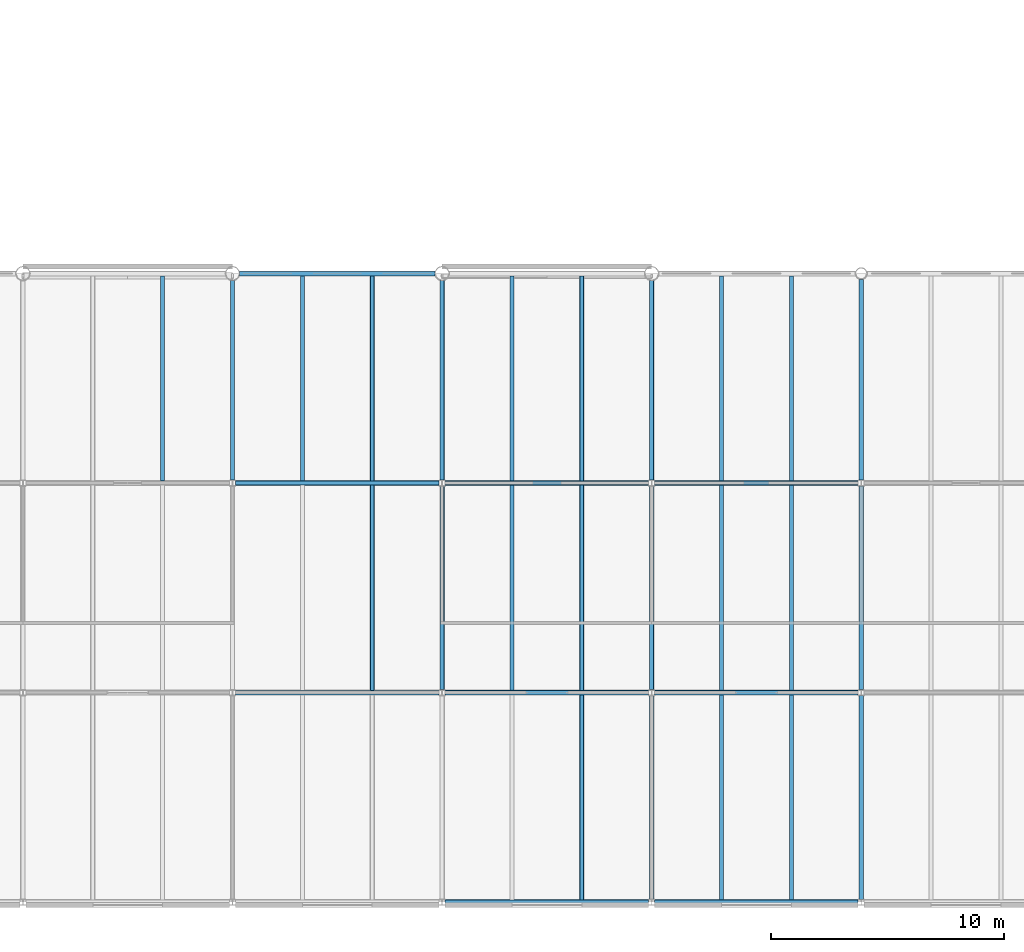
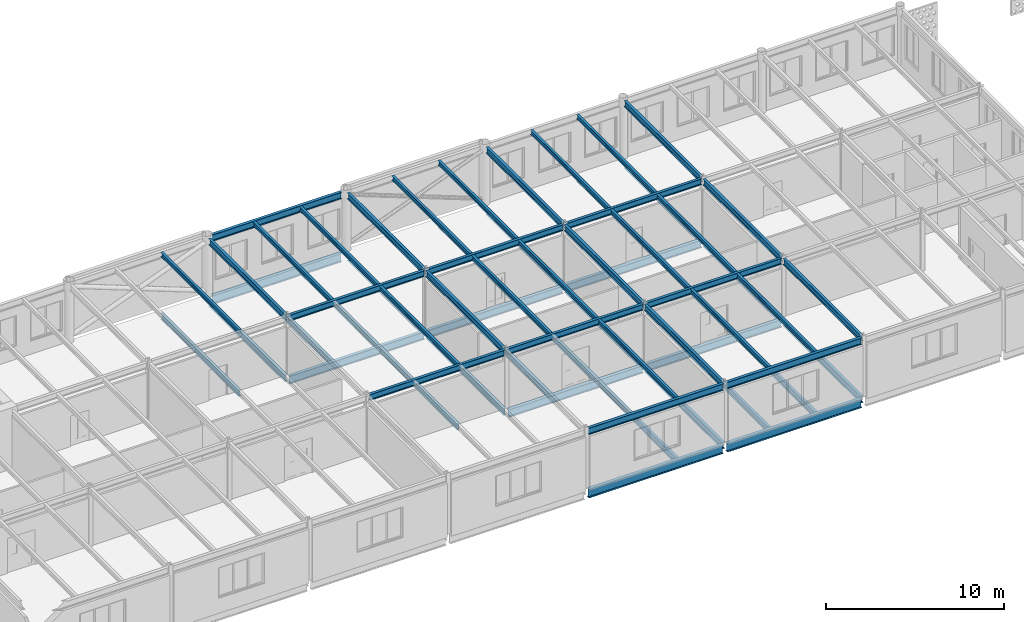
# One storey, part 25 of 123: 65 beams.
"""IFC4 building model written with IfcOpenShell, lengths in metres."""

from ifc_helpers import new_model, si_unit, direction, frame, origin, origin_2d, place, context, subcontext, project, spatial, i_section, extrude, material, material_profile, profile_set, type_object, element, save


model = new_model("IFC4")

# Units and contexts
model_context = context("Model", 3, precision=1e-05, world=origin(), true_north=direction((0.0, 1.0)))
body_context = subcontext(model_context, "Body", "Model", "MODEL_VIEW")
ifc_project = project(units=[si_unit("LENGTHUNIT", "METRE"), si_unit("AREAUNIT", "SQUARE_METRE"), si_unit("VOLUMEUNIT", "CUBIC_METRE"), si_unit("PLANEANGLEUNIT", "RADIAN"), si_unit("MASSUNIT", "GRAM", prefix="KILO")], contexts=[model_context])

# Site, building, storey
site_placement = place(None, origin())
site = spatial("IfcSite", under=ifc_project, at=site_placement, CompositionType="ELEMENT")
building_placement = place(site_placement, origin())
building = spatial("IfcBuilding", under=site, at=building_placement, Name="Baradari Gate Terminus", CompositionType="ELEMENT")
storey_placement = place(building_placement, frame((0.0, 0.0, 7.5)))
storey = spatial("IfcBuildingStorey", under=building, at=storey_placement, Name="L01", CompositionType="ELEMENT", Elevation=7.5)

# Beams
ifc_material_1 = material(Name="Steel S355", Category="steel")
ifc_material_profile_1 = material_profile(ifc_material_1, i_section(OverallWidth=0.19140625, OverallDepth=0.4599609375, WebThickness=0.010009765625, FlangeThickness=0.01611328125, FilletRadius=0.01025390625, at=origin_2d()), Name="UB 457x191x82")
ifc_profile_set_1 = profile_set([ifc_material_profile_1], Name="Steel S355")
beam_type_1 = type_object("IfcBeamType", Name="South wing cross girder B18 UB 457x191x82", PredefinedType="BEAM", material=ifc_profile_set_1)
beam_1_placement = place(storey_placement, frame((108.0, 27.130126953125, -0.360107421875), z_axis=(0.0, 1.0, 0.0), x_axis=(-1.0, 0.0, 0.0)))
element("IfcBeam", 1, at=beam_1_placement, inside=storey, type_object=beam_type_1, Name="South wing cross girder B18 13:27.13-35.695 L01", PredefinedType="BEAM", context=body_context, shape_type="SweptSolid", body=[
    extrude(i_section(OverallWidth=0.19140625, OverallDepth=0.4599609375, WebThickness=0.010009765625, FlangeThickness=0.01611328125, FilletRadius=0.01025390625, at=origin_2d()), origin(), (0.0, 0.0, 1.0), 8.56494140625),
])
beam_2_placement = place(storey_placement, frame((117.0, 18.130126953125, -0.360107421875), z_axis=(0.0, 1.0, 0.0), x_axis=(-1.0, 0.0, 0.0)))
element("IfcBeam", 2, at=beam_2_placement, inside=storey, type_object=beam_type_1, Name="South wing cross girder B18 14:18.13-26.87 L01", PredefinedType="BEAM", context=body_context, shape_type="SweptSolid", body=[
    extrude(i_section(OverallWidth=0.19140625, OverallDepth=0.4599609375, WebThickness=0.010009765625, FlangeThickness=0.01611328125, FilletRadius=0.01025390625, at=origin_2d()), origin(), (0.0, 0.0, 1.0), 8.73974609375),
])
beam_3_placement = place(storey_placement, frame((117.0, 27.130126953125, -0.360107421875), z_axis=(0.0, 1.0, 0.0), x_axis=(-1.0, 0.0, 0.0)))
element("IfcBeam", 3, at=beam_3_placement, inside=storey, type_object=beam_type_1, Name="South wing cross girder B18 14:27.13-35.695 L01", PredefinedType="BEAM", context=body_context, shape_type="SweptSolid", body=[
    extrude(i_section(OverallWidth=0.19140625, OverallDepth=0.4599609375, WebThickness=0.010009765625, FlangeThickness=0.01611328125, FilletRadius=0.01025390625, at=origin_2d()), origin(), (0.0, 0.0, 1.0), 8.56494140625),
])
beam_4_placement = place(storey_placement, frame((126.0, 9.127197265625, -0.360107421875), z_axis=(0.0, 1.0, 0.0), x_axis=(-1.0, 0.0, 0.0)))
element("IfcBeam", 4, at=beam_4_placement, inside=storey, type_object=beam_type_1, Name="South wing cross girder B18 15:9.127-17.87 L01", PredefinedType="BEAM", context=body_context, shape_type="SweptSolid", body=[
    extrude(i_section(OverallWidth=0.19140625, OverallDepth=0.4599609375, WebThickness=0.010009765625, FlangeThickness=0.01611328125, FilletRadius=0.01025390625, at=origin_2d()), origin(), (0.0, 0.0, 1.0), 8.74267578125),
])
beam_5_placement = place(storey_placement, frame((126.0, 18.130126953125, -0.360107421875), z_axis=(0.0, 1.0, 0.0), x_axis=(-1.0, 0.0, 0.0)))
element("IfcBeam", 5, at=beam_5_placement, inside=storey, type_object=beam_type_1, Name="South wing cross girder B18 15:18.13-26.87 L01", PredefinedType="BEAM", context=body_context, shape_type="SweptSolid", body=[
    extrude(i_section(OverallWidth=0.19140625, OverallDepth=0.4599609375, WebThickness=0.010009765625, FlangeThickness=0.01611328125, FilletRadius=0.01025390625, at=origin_2d()), origin(), (0.0, 0.0, 1.0), 8.73974609375),
])
beam_6_placement = place(storey_placement, frame((126.0, 27.130126953125, -0.360107421875), z_axis=(0.0, 1.0, 0.0), x_axis=(-1.0, 0.0, 0.0)))
element("IfcBeam", 6, at=beam_6_placement, inside=storey, type_object=beam_type_1, Name="South wing cross girder B18 15:27.13-35.695 L01", PredefinedType="BEAM", context=body_context, shape_type="SweptSolid", body=[
    extrude(i_section(OverallWidth=0.19140625, OverallDepth=0.4599609375, WebThickness=0.010009765625, FlangeThickness=0.01611328125, FilletRadius=0.01025390625, at=origin_2d()), origin(), (0.0, 0.0, 1.0), 8.56494140625),
])
beam_7_placement = place(storey_placement, frame((135.0, 9.127197265625, -0.360107421875), z_axis=(0.0, 1.0, 0.0), x_axis=(-1.0, 0.0, 0.0)))
element("IfcBeam", 7, at=beam_7_placement, inside=storey, type_object=beam_type_1, Name="South wing cross girder B18 16:9.127-17.87 L01", PredefinedType="BEAM", context=body_context, shape_type="SweptSolid", body=[
    extrude(i_section(OverallWidth=0.19140625, OverallDepth=0.4599609375, WebThickness=0.010009765625, FlangeThickness=0.01611328125, FilletRadius=0.01025390625, at=origin_2d()), origin(), (0.0, 0.0, 1.0), 8.74267578125),
])
beam_8_placement = place(storey_placement, frame((135.0, 18.130126953125, -0.360107421875), z_axis=(0.0, 1.0, 0.0), x_axis=(-1.0, 0.0, 0.0)))
element("IfcBeam", 8, at=beam_8_placement, inside=storey, type_object=beam_type_1, Name="South wing cross girder B18 16:18.13-26.87 L01", PredefinedType="BEAM", context=body_context, shape_type="SweptSolid", body=[
    extrude(i_section(OverallWidth=0.19140625, OverallDepth=0.4599609375, WebThickness=0.010009765625, FlangeThickness=0.01611328125, FilletRadius=0.01025390625, at=origin_2d()), origin(), (0.0, 0.0, 1.0), 8.73974609375),
])
beam_9_placement = place(storey_placement, frame((135.0, 27.130126953125, -0.360107421875), z_axis=(0.0, 1.0, 0.0), x_axis=(-1.0, 0.0, 0.0)))
element("IfcBeam", 9, at=beam_9_placement, inside=storey, type_object=beam_type_1, Name="South wing cross girder B18 16:27.13-35.746 L01", PredefinedType="BEAM", context=body_context, shape_type="SweptSolid", body=[
    extrude(i_section(OverallWidth=0.19140625, OverallDepth=0.4599609375, WebThickness=0.010009765625, FlangeThickness=0.01611328125, FilletRadius=0.01025390625, at=origin_2d()), origin(), (0.0, 0.0, 1.0), 8.615966796875),
])
ifc_material_2 = material(Name="Steel S355", Category="steel")
ifc_material_profile_2 = material_profile(ifc_material_2, i_section(OverallWidth=0.2275390625, OverallDepth=0.6025390625, WebThickness=0.010498046875, FlangeThickness=0.014892578125, FilletRadius=0.0126953125, at=origin_2d()), Name="UB 610x229x101")
ifc_profile_set_2 = profile_set([ifc_material_profile_2], Name="Steel S355")
beam_type_2 = type_object("IfcBeamType", Name="South wing edge girder B14 UB 610x229x101", PredefinedType="BEAM", material=ifc_profile_set_2)
for number, where, z_axis, x_axis, name in (
    (10, (117.127197265625, 9.0, -0.431396484375), (1.0, 0.0, 0.0), (0.0, 1.0, 0.0), "South wing edge girder B14 B:117.127-125.873 L01"),
    (11, (126.127197265625, 9.0, -0.431396484375), (1.0, 0.0, 0.0), (0.0, 1.0, 0.0), "South wing edge girder B14 B:126.127-134.873 L01"),
):
    element("IfcBeam", number, at=place(storey_placement, frame(where, z_axis=z_axis, x_axis=x_axis)), inside=storey, type_object=beam_type_2, Name=name, PredefinedType="BEAM", context=body_context, shape_type="SweptSolid", body=[
        extrude(i_section(OverallWidth=0.2275390625, OverallDepth=0.6025390625, WebThickness=0.010498046875, FlangeThickness=0.014892578125, FilletRadius=0.0126953125, at=origin_2d()), origin(), (0.0, 0.0, 1.0), 8.74560546875),
    ])
beam_10_placement = place(storey_placement, frame((108.304931640625, 36.0, -0.431396484375), z_axis=(1.0, 0.0, 0.0), x_axis=(0.0, 1.0, 0.0)))
element("IfcBeam", 12, at=beam_10_placement, inside=storey, type_object=beam_type_2, Name="South wing edge girder B14 E:108.305-116.695 L01", PredefinedType="BEAM", context=body_context, shape_type="SweptSolid", body=[
    extrude(i_section(OverallWidth=0.2275390625, OverallDepth=0.6025390625, WebThickness=0.010498046875, FlangeThickness=0.014892578125, FilletRadius=0.0126953125, at=origin_2d()), origin(), (0.0, 0.0, 1.0), 8.39013671875),
])
ifc_material_3 = material(Name="Steel S355", Category="steel")
ifc_material_profile_3 = material_profile(ifc_material_3, i_section(OverallWidth=0.210693359375, OverallDepth=0.53955078125, WebThickness=0.01171875, FlangeThickness=0.018798828125, FilletRadius=0.0126953125, at=origin_2d()), Name="UB 533x210x109")
ifc_profile_set_3 = profile_set([ifc_material_profile_3], Name="Steel S355")
beam_type_3 = type_object("IfcBeamType", Name="South wing girder B16 UB 533x210x109", PredefinedType="BEAM", material=ifc_profile_set_3)
for number, where, z_axis, x_axis, name in (
    (13, (117.128173828125, 18.0, -0.399658203125), (1.0, 0.0, 0.0), (0.0, 1.0, 0.0), "South wing girder B16 C:117.128-125.872 L01"),
    (14, (126.128173828125, 18.0, -0.399658203125), (1.0, 0.0, 0.0), (0.0, 1.0, 0.0), "South wing girder B16 C:126.128-134.872 L01"),
    (15, (108.128173828125, 27.0, -0.399658203125), (1.0, 0.0, 0.0), (0.0, 1.0, 0.0), "South wing girder B16 D:108.128-116.872 L01"),
    (16, (117.128173828125, 27.0, -0.399658203125), (1.0, 0.0, 0.0), (0.0, 1.0, 0.0), "South wing girder B16 D:117.128-125.872 L01"),
    (17, (126.128173828125, 27.0, -0.399658203125), (1.0, 0.0, 0.0), (0.0, 1.0, 0.0), "South wing girder B16 D:126.128-134.872 L01"),
):
    element("IfcBeam", number, at=place(storey_placement, frame(where, z_axis=z_axis, x_axis=x_axis)), inside=storey, type_object=beam_type_3, Name=name, PredefinedType="BEAM", context=body_context, shape_type="SweptSolid", body=[
        extrude(i_section(OverallWidth=0.210693359375, OverallDepth=0.53955078125, WebThickness=0.01171875, FlangeThickness=0.018798828125, FilletRadius=0.0126953125, at=origin_2d()), origin(), (0.0, 0.0, 1.0), 8.74365234375),
    ])
ifc_material_4 = material(Name="Steel S355", Category="steel")
ifc_material_profile_4 = material_profile(ifc_material_4, i_section(OverallWidth=0.18994140625, OverallDepth=0.453369140625, WebThickness=0.008544921875, FlangeThickness=0.0126953125, FilletRadius=0.01025390625, at=origin_2d()), Name="UB 457x191x67")
ifc_profile_set_4 = profile_set([ifc_material_profile_4], Name="Steel S355")
beam_type_4 = type_object("IfcBeamType", Name="South wing roof edge girder B53 UB 457x191x67", PredefinedType="BEAM", material=ifc_profile_set_4)
for number, where, z_axis, x_axis, name in (
    (18, (117.127197265625, 9.0, 3.8232421875), (1.0, 0.0, 0.0), (0.0, 1.0, 0.0), "South wing roof edge girder B53 B:117.127-125.873 L01"),
    (19, (126.127197265625, 9.0, 3.8232421875), (1.0, 0.0, 0.0), (0.0, 1.0, 0.0), "South wing roof edge girder B53 B:126.127-134.873 L01"),
):
    element("IfcBeam", number, at=place(storey_placement, frame(where, z_axis=z_axis, x_axis=x_axis)), inside=storey, type_object=beam_type_4, Name=name, PredefinedType="BEAM", context=body_context, shape_type="SweptSolid", body=[
        extrude(i_section(OverallWidth=0.18994140625, OverallDepth=0.453369140625, WebThickness=0.008544921875, FlangeThickness=0.0126953125, FilletRadius=0.01025390625, at=origin_2d()), origin(), (0.0, 0.0, 1.0), 8.74560546875),
    ])
beam_11_placement = place(storey_placement, frame((108.304931640625, 36.0, 3.8232421875), z_axis=(1.0, 0.0, 0.0), x_axis=(0.0, 1.0, 0.0)))
element("IfcBeam", 20, at=beam_11_placement, inside=storey, type_object=beam_type_4, Name="South wing roof edge girder B53 E:108.305-116.695 L01", PredefinedType="BEAM", context=body_context, shape_type="SweptSolid", body=[
    extrude(i_section(OverallWidth=0.18994140625, OverallDepth=0.453369140625, WebThickness=0.008544921875, FlangeThickness=0.0126953125, FilletRadius=0.01025390625, at=origin_2d()), origin(), (0.0, 0.0, 1.0), 8.39013671875),
])
ifc_material_5 = material(Name="Steel S355", Category="steel")
ifc_material_profile_5 = material_profile(ifc_material_5, i_section(OverallWidth=0.177978515625, OverallDepth=0.406494140625, WebThickness=0.0078125, FlangeThickness=0.0126953125, FilletRadius=0.01025390625, at=origin_2d()), Name="UB 406x178x60")
ifc_profile_set_5 = profile_set([ifc_material_profile_5], Name="Steel S355")
beam_type_5 = type_object("IfcBeamType", Name="South wing roof girder B54 UB 406x178x60", PredefinedType="BEAM", material=ifc_profile_set_5)
for number, where, z_axis, x_axis, name in (
    (21, (108.128173828125, 18.0, 3.8466796875), (1.0, 0.0, 0.0), (0.0, 1.0, 0.0), "South wing roof girder B54 C:108.128-116.872 L01"),
    (22, (117.128173828125, 18.0, 3.8466796875), (1.0, 0.0, 0.0), (0.0, 1.0, 0.0), "South wing roof girder B54 C:117.128-125.872 L01"),
    (23, (126.128173828125, 18.0, 3.8466796875), (1.0, 0.0, 0.0), (0.0, 1.0, 0.0), "South wing roof girder B54 C:126.128-134.872 L01"),
    (24, (108.128173828125, 27.0, 3.8466796875), (1.0, 0.0, 0.0), (0.0, 1.0, 0.0), "South wing roof girder B54 D:108.128-116.872 L01"),
    (25, (117.128173828125, 27.0, 3.8466796875), (1.0, 0.0, 0.0), (0.0, 1.0, 0.0), "South wing roof girder B54 D:117.128-125.872 L01"),
    (26, (126.128173828125, 27.0, 3.8466796875), (1.0, 0.0, 0.0), (0.0, 1.0, 0.0), "South wing roof girder B54 D:126.128-134.872 L01"),
):
    element("IfcBeam", number, at=place(storey_placement, frame(where, z_axis=z_axis, x_axis=x_axis)), inside=storey, type_object=beam_type_5, Name=name, PredefinedType="BEAM", context=body_context, shape_type="SweptSolid", body=[
        extrude(i_section(OverallWidth=0.177978515625, OverallDepth=0.406494140625, WebThickness=0.0078125, FlangeThickness=0.0126953125, FilletRadius=0.01025390625, at=origin_2d()), origin(), (0.0, 0.0, 1.0), 8.74365234375),
    ])
beam_12_placement = place(storey_placement, frame((108.0, 27.130126953125, 3.8466796875), z_axis=(0.0, 1.0, 0.0), x_axis=(-1.0, 0.0, 0.0)))
element("IfcBeam", 27, at=beam_12_placement, inside=storey, type_object=beam_type_5, Name="South wing roof girder B54 13:27.13-35.695 L01", PredefinedType="BEAM", context=body_context, shape_type="SweptSolid", body=[
    extrude(i_section(OverallWidth=0.177978515625, OverallDepth=0.406494140625, WebThickness=0.0078125, FlangeThickness=0.0126953125, FilletRadius=0.01025390625, at=origin_2d()), origin(), (0.0, 0.0, 1.0), 8.56494140625),
])
beam_13_placement = place(storey_placement, frame((117.0, 18.130126953125, 3.8466796875), z_axis=(0.0, 1.0, 0.0), x_axis=(-1.0, 0.0, 0.0)))
element("IfcBeam", 28, at=beam_13_placement, inside=storey, type_object=beam_type_5, Name="South wing roof girder B54 14:18.13-26.87 L01", PredefinedType="BEAM", context=body_context, shape_type="SweptSolid", body=[
    extrude(i_section(OverallWidth=0.177978515625, OverallDepth=0.406494140625, WebThickness=0.0078125, FlangeThickness=0.0126953125, FilletRadius=0.01025390625, at=origin_2d()), origin(), (0.0, 0.0, 1.0), 8.73974609375),
])
beam_14_placement = place(storey_placement, frame((117.0, 27.130126953125, 3.8466796875), z_axis=(0.0, 1.0, 0.0), x_axis=(-1.0, 0.0, 0.0)))
element("IfcBeam", 29, at=beam_14_placement, inside=storey, type_object=beam_type_5, Name="South wing roof girder B54 14:27.13-35.695 L01", PredefinedType="BEAM", context=body_context, shape_type="SweptSolid", body=[
    extrude(i_section(OverallWidth=0.177978515625, OverallDepth=0.406494140625, WebThickness=0.0078125, FlangeThickness=0.0126953125, FilletRadius=0.01025390625, at=origin_2d()), origin(), (0.0, 0.0, 1.0), 8.56494140625),
])
beam_15_placement = place(storey_placement, frame((126.0, 9.127197265625, 3.8466796875), z_axis=(0.0, 1.0, 0.0), x_axis=(-1.0, 0.0, 0.0)))
element("IfcBeam", 30, at=beam_15_placement, inside=storey, type_object=beam_type_5, Name="South wing roof girder B54 15:9.127-17.87 L01", PredefinedType="BEAM", context=body_context, shape_type="SweptSolid", body=[
    extrude(i_section(OverallWidth=0.177978515625, OverallDepth=0.406494140625, WebThickness=0.0078125, FlangeThickness=0.0126953125, FilletRadius=0.01025390625, at=origin_2d()), origin(), (0.0, 0.0, 1.0), 8.74267578125),
])
beam_16_placement = place(storey_placement, frame((126.0, 18.130126953125, 3.8466796875), z_axis=(0.0, 1.0, 0.0), x_axis=(-1.0, 0.0, 0.0)))
element("IfcBeam", 31, at=beam_16_placement, inside=storey, type_object=beam_type_5, Name="South wing roof girder B54 15:18.13-26.87 L01", PredefinedType="BEAM", context=body_context, shape_type="SweptSolid", body=[
    extrude(i_section(OverallWidth=0.177978515625, OverallDepth=0.406494140625, WebThickness=0.0078125, FlangeThickness=0.0126953125, FilletRadius=0.01025390625, at=origin_2d()), origin(), (0.0, 0.0, 1.0), 8.73974609375),
])
beam_17_placement = place(storey_placement, frame((126.0, 27.130126953125, 3.8466796875), z_axis=(0.0, 1.0, 0.0), x_axis=(-1.0, 0.0, 0.0)))
element("IfcBeam", 32, at=beam_17_placement, inside=storey, type_object=beam_type_5, Name="South wing roof girder B54 15:27.13-35.695 L01", PredefinedType="BEAM", context=body_context, shape_type="SweptSolid", body=[
    extrude(i_section(OverallWidth=0.177978515625, OverallDepth=0.406494140625, WebThickness=0.0078125, FlangeThickness=0.0126953125, FilletRadius=0.01025390625, at=origin_2d()), origin(), (0.0, 0.0, 1.0), 8.56494140625),
])
beam_18_placement = place(storey_placement, frame((135.0, 9.127197265625, 3.8466796875), z_axis=(0.0, 1.0, 0.0), x_axis=(-1.0, 0.0, 0.0)))
element("IfcBeam", 33, at=beam_18_placement, inside=storey, type_object=beam_type_5, Name="South wing roof girder B54 16:9.127-17.87 L01", PredefinedType="BEAM", context=body_context, shape_type="SweptSolid", body=[
    extrude(i_section(OverallWidth=0.177978515625, OverallDepth=0.406494140625, WebThickness=0.0078125, FlangeThickness=0.0126953125, FilletRadius=0.01025390625, at=origin_2d()), origin(), (0.0, 0.0, 1.0), 8.74267578125),
])
beam_19_placement = place(storey_placement, frame((135.0, 18.130126953125, 3.8466796875), z_axis=(0.0, 1.0, 0.0), x_axis=(-1.0, 0.0, 0.0)))
element("IfcBeam", 34, at=beam_19_placement, inside=storey, type_object=beam_type_5, Name="South wing roof girder B54 16:18.13-26.87 L01", PredefinedType="BEAM", context=body_context, shape_type="SweptSolid", body=[
    extrude(i_section(OverallWidth=0.177978515625, OverallDepth=0.406494140625, WebThickness=0.0078125, FlangeThickness=0.0126953125, FilletRadius=0.01025390625, at=origin_2d()), origin(), (0.0, 0.0, 1.0), 8.73974609375),
])
beam_20_placement = place(storey_placement, frame((135.0, 27.130126953125, 3.8466796875), z_axis=(0.0, 1.0, 0.0), x_axis=(-1.0, 0.0, 0.0)))
element("IfcBeam", 35, at=beam_20_placement, inside=storey, type_object=beam_type_5, Name="South wing roof girder B54 16:27.13-35.746 L01", PredefinedType="BEAM", context=body_context, shape_type="SweptSolid", body=[
    extrude(i_section(OverallWidth=0.177978515625, OverallDepth=0.406494140625, WebThickness=0.0078125, FlangeThickness=0.0126953125, FilletRadius=0.01025390625, at=origin_2d()), origin(), (0.0, 0.0, 1.0), 8.615966796875),
])
ifc_material_6 = material(Name="Steel S355", Category="steel")
ifc_material_profile_6 = material_profile(ifc_material_6, i_section(OverallWidth=0.1650390625, OverallDepth=0.303466796875, WebThickness=0.006103515625, FlangeThickness=0.01025390625, FilletRadius=0.0087890625, at=origin_2d()), Name="UB 305x165x40")
ifc_profile_set_6 = profile_set([ifc_material_profile_6], Name="Steel S355")
beam_type_6 = type_object("IfcBeamType", Name="South wing roof secondary beam B55 UB 305x165x40", PredefinedType="BEAM", material=ifc_profile_set_6)
for number, where, z_axis, x_axis, name in (
    (36, (105.0, 27.089111328125, 3.898193359375), (0.0, 1.0, 0.0), (-1.0, 0.0, 0.0), "South wing roof secondary beam B55 105:27.089-35.905 L01"),
    (37, (111.0, 27.089111328125, 3.898193359375), (0.0, 1.0, 0.0), (-1.0, 0.0, 0.0), "South wing roof secondary beam B55 111:27.089-35.905 L01"),
):
    element("IfcBeam", number, at=place(storey_placement, frame(where, z_axis=z_axis, x_axis=x_axis)), inside=storey, type_object=beam_type_6, Name=name, PredefinedType="BEAM", context=body_context, shape_type="SweptSolid", body=[
        extrude(i_section(OverallWidth=0.1650390625, OverallDepth=0.303466796875, WebThickness=0.006103515625, FlangeThickness=0.01025390625, FilletRadius=0.0087890625, at=origin_2d()), origin(), (0.0, 0.0, 1.0), 8.81591796875),
    ])
beam_21_placement = place(storey_placement, frame((114.0, 18.089111328125, 3.898193359375), z_axis=(0.0, 1.0, 0.0), x_axis=(-1.0, 0.0, 0.0)))
element("IfcBeam", 38, at=beam_21_placement, inside=storey, type_object=beam_type_6, Name="South wing roof secondary beam B55 114:18.089-26.911 L01", PredefinedType="BEAM", context=body_context, shape_type="SweptSolid", body=[
    extrude(i_section(OverallWidth=0.1650390625, OverallDepth=0.303466796875, WebThickness=0.006103515625, FlangeThickness=0.01025390625, FilletRadius=0.0087890625, at=origin_2d()), origin(), (0.0, 0.0, 1.0), 8.82177734375),
])
beam_22_placement = place(storey_placement, frame((114.0, 27.089111328125, 3.898193359375), z_axis=(0.0, 1.0, 0.0), x_axis=(-1.0, 0.0, 0.0)))
element("IfcBeam", 39, at=beam_22_placement, inside=storey, type_object=beam_type_6, Name="South wing roof secondary beam B55 114:27.089-35.905 L01", PredefinedType="BEAM", context=body_context, shape_type="SweptSolid", body=[
    extrude(i_section(OverallWidth=0.1650390625, OverallDepth=0.303466796875, WebThickness=0.006103515625, FlangeThickness=0.01025390625, FilletRadius=0.0087890625, at=origin_2d()), origin(), (0.0, 0.0, 1.0), 8.81591796875),
])
beam_23_placement = place(storey_placement, frame((120.0, 18.089111328125, 3.898193359375), z_axis=(0.0, 1.0, 0.0), x_axis=(-1.0, 0.0, 0.0)))
element("IfcBeam", 40, at=beam_23_placement, inside=storey, type_object=beam_type_6, Name="South wing roof secondary beam B55 120:18.089-26.911 L01", PredefinedType="BEAM", context=body_context, shape_type="SweptSolid", body=[
    extrude(i_section(OverallWidth=0.1650390625, OverallDepth=0.303466796875, WebThickness=0.006103515625, FlangeThickness=0.01025390625, FilletRadius=0.0087890625, at=origin_2d()), origin(), (0.0, 0.0, 1.0), 8.82177734375),
])
for number, where, z_axis, x_axis, name in (
    (41, (120.0, 27.089111328125, 3.898193359375), (0.0, 1.0, 0.0), (-1.0, 0.0, 0.0), "South wing roof secondary beam B55 120:27.089-35.905 L01"),
    (42, (123.0, 9.094970703125, 3.898193359375), (0.0, 1.0, 0.0), (-1.0, 0.0, 0.0), "South wing roof secondary beam B55 123:9.095-17.911 L01"),
):
    element("IfcBeam", number, at=place(storey_placement, frame(where, z_axis=z_axis, x_axis=x_axis)), inside=storey, type_object=beam_type_6, Name=name, PredefinedType="BEAM", context=body_context, shape_type="SweptSolid", body=[
        extrude(i_section(OverallWidth=0.1650390625, OverallDepth=0.303466796875, WebThickness=0.006103515625, FlangeThickness=0.01025390625, FilletRadius=0.0087890625, at=origin_2d()), origin(), (0.0, 0.0, 1.0), 8.81591796875),
    ])
beam_24_placement = place(storey_placement, frame((123.0, 18.089111328125, 3.898193359375), z_axis=(0.0, 1.0, 0.0), x_axis=(-1.0, 0.0, 0.0)))
element("IfcBeam", 43, at=beam_24_placement, inside=storey, type_object=beam_type_6, Name="South wing roof secondary beam B55 123:18.089-26.911 L01", PredefinedType="BEAM", context=body_context, shape_type="SweptSolid", body=[
    extrude(i_section(OverallWidth=0.1650390625, OverallDepth=0.303466796875, WebThickness=0.006103515625, FlangeThickness=0.01025390625, FilletRadius=0.0087890625, at=origin_2d()), origin(), (0.0, 0.0, 1.0), 8.82177734375),
])
for number, where, z_axis, x_axis, name in (
    (44, (123.0, 27.089111328125, 3.898193359375), (0.0, 1.0, 0.0), (-1.0, 0.0, 0.0), "South wing roof secondary beam B55 123:27.089-35.905 L01"),
    (45, (129.0, 9.094970703125, 3.898193359375), (0.0, 1.0, 0.0), (-1.0, 0.0, 0.0), "South wing roof secondary beam B55 129:9.095-17.911 L01"),
):
    element("IfcBeam", number, at=place(storey_placement, frame(where, z_axis=z_axis, x_axis=x_axis)), inside=storey, type_object=beam_type_6, Name=name, PredefinedType="BEAM", context=body_context, shape_type="SweptSolid", body=[
        extrude(i_section(OverallWidth=0.1650390625, OverallDepth=0.303466796875, WebThickness=0.006103515625, FlangeThickness=0.01025390625, FilletRadius=0.0087890625, at=origin_2d()), origin(), (0.0, 0.0, 1.0), 8.81591796875),
    ])
beam_25_placement = place(storey_placement, frame((129.0, 18.089111328125, 3.898193359375), z_axis=(0.0, 1.0, 0.0), x_axis=(-1.0, 0.0, 0.0)))
element("IfcBeam", 46, at=beam_25_placement, inside=storey, type_object=beam_type_6, Name="South wing roof secondary beam B55 129:18.089-26.911 L01", PredefinedType="BEAM", context=body_context, shape_type="SweptSolid", body=[
    extrude(i_section(OverallWidth=0.1650390625, OverallDepth=0.303466796875, WebThickness=0.006103515625, FlangeThickness=0.01025390625, FilletRadius=0.0087890625, at=origin_2d()), origin(), (0.0, 0.0, 1.0), 8.82177734375),
])
for number, where, z_axis, x_axis, name in (
    (47, (129.0, 27.089111328125, 3.898193359375), (0.0, 1.0, 0.0), (-1.0, 0.0, 0.0), "South wing roof secondary beam B55 129:27.089-35.905 L01"),
    (48, (132.0, 9.094970703125, 3.898193359375), (0.0, 1.0, 0.0), (-1.0, 0.0, 0.0), "South wing roof secondary beam B55 132:9.095-17.911 L01"),
):
    element("IfcBeam", number, at=place(storey_placement, frame(where, z_axis=z_axis, x_axis=x_axis)), inside=storey, type_object=beam_type_6, Name=name, PredefinedType="BEAM", context=body_context, shape_type="SweptSolid", body=[
        extrude(i_section(OverallWidth=0.1650390625, OverallDepth=0.303466796875, WebThickness=0.006103515625, FlangeThickness=0.01025390625, FilletRadius=0.0087890625, at=origin_2d()), origin(), (0.0, 0.0, 1.0), 8.81591796875),
    ])
beam_26_placement = place(storey_placement, frame((132.0, 18.089111328125, 3.898193359375), z_axis=(0.0, 1.0, 0.0), x_axis=(-1.0, 0.0, 0.0)))
element("IfcBeam", 49, at=beam_26_placement, inside=storey, type_object=beam_type_6, Name="South wing roof secondary beam B55 132:18.089-26.911 L01", PredefinedType="BEAM", context=body_context, shape_type="SweptSolid", body=[
    extrude(i_section(OverallWidth=0.1650390625, OverallDepth=0.303466796875, WebThickness=0.006103515625, FlangeThickness=0.01025390625, FilletRadius=0.0087890625, at=origin_2d()), origin(), (0.0, 0.0, 1.0), 8.82177734375),
])
beam_27_placement = place(storey_placement, frame((132.0, 27.089111328125, 3.898193359375), z_axis=(0.0, 1.0, 0.0), x_axis=(-1.0, 0.0, 0.0)))
element("IfcBeam", 50, at=beam_27_placement, inside=storey, type_object=beam_type_6, Name="South wing roof secondary beam B55 132:27.089-35.905 L01", PredefinedType="BEAM", context=body_context, shape_type="SweptSolid", body=[
    extrude(i_section(OverallWidth=0.1650390625, OverallDepth=0.303466796875, WebThickness=0.006103515625, FlangeThickness=0.01025390625, FilletRadius=0.0087890625, at=origin_2d()), origin(), (0.0, 0.0, 1.0), 8.81591796875),
])
ifc_material_7 = material(Name="Steel S355", Category="steel")
ifc_material_profile_7 = material_profile(ifc_material_7, i_section(OverallWidth=0.177978515625, OverallDepth=0.406494140625, WebThickness=0.0078125, FlangeThickness=0.0126953125, FilletRadius=0.01025390625, at=origin_2d()), Name="UB 406x178x60")
ifc_profile_set_7 = profile_set([ifc_material_profile_7], Name="Steel S355")
beam_type_7 = type_object("IfcBeamType", Name="South wing secondary beam B17 UB 406x178x60", PredefinedType="BEAM", material=ifc_profile_set_7)
for number, where, z_axis, x_axis, name in (
    (51, (105.0, 27.10546875, -0.333251953125), (0.0, 1.0, 0.0), (-1.0, 0.0, 0.0), "South wing secondary beam B17 105:27.105-35.886 L01"),
    (52, (111.0, 27.10546875, -0.333251953125), (0.0, 1.0, 0.0), (-1.0, 0.0, 0.0), "South wing secondary beam B17 111:27.105-35.886 L01"),
):
    element("IfcBeam", number, at=place(storey_placement, frame(where, z_axis=z_axis, x_axis=x_axis)), inside=storey, type_object=beam_type_7, Name=name, PredefinedType="BEAM", context=body_context, shape_type="SweptSolid", body=[
        extrude(i_section(OverallWidth=0.177978515625, OverallDepth=0.406494140625, WebThickness=0.0078125, FlangeThickness=0.0126953125, FilletRadius=0.01025390625, at=origin_2d()), origin(), (0.0, 0.0, 1.0), 8.78076171875),
    ])
beam_28_placement = place(storey_placement, frame((114.0, 18.10546875, -0.333251953125), z_axis=(0.0, 1.0, 0.0), x_axis=(-1.0, 0.0, 0.0)))
element("IfcBeam", 53, at=beam_28_placement, inside=storey, type_object=beam_type_7, Name="South wing secondary beam B17 114:18.105-26.895 L01", PredefinedType="BEAM", context=body_context, shape_type="SweptSolid", body=[
    extrude(i_section(OverallWidth=0.177978515625, OverallDepth=0.406494140625, WebThickness=0.0078125, FlangeThickness=0.0126953125, FilletRadius=0.01025390625, at=origin_2d()), origin(), (0.0, 0.0, 1.0), 8.7890625),
])
beam_29_placement = place(storey_placement, frame((114.0, 27.10546875, -0.333251953125), z_axis=(0.0, 1.0, 0.0), x_axis=(-1.0, 0.0, 0.0)))
element("IfcBeam", 54, at=beam_29_placement, inside=storey, type_object=beam_type_7, Name="South wing secondary beam B17 114:27.105-35.886 L01", PredefinedType="BEAM", context=body_context, shape_type="SweptSolid", body=[
    extrude(i_section(OverallWidth=0.177978515625, OverallDepth=0.406494140625, WebThickness=0.0078125, FlangeThickness=0.0126953125, FilletRadius=0.01025390625, at=origin_2d()), origin(), (0.0, 0.0, 1.0), 8.78076171875),
])
beam_30_placement = place(storey_placement, frame((120.0, 18.10546875, -0.333251953125), z_axis=(0.0, 1.0, 0.0), x_axis=(-1.0, 0.0, 0.0)))
element("IfcBeam", 55, at=beam_30_placement, inside=storey, type_object=beam_type_7, Name="South wing secondary beam B17 120:18.105-26.895 L01", PredefinedType="BEAM", context=body_context, shape_type="SweptSolid", body=[
    extrude(i_section(OverallWidth=0.177978515625, OverallDepth=0.406494140625, WebThickness=0.0078125, FlangeThickness=0.0126953125, FilletRadius=0.01025390625, at=origin_2d()), origin(), (0.0, 0.0, 1.0), 8.7890625),
])
for number, where, z_axis, x_axis, name in (
    (56, (120.0, 27.10546875, -0.333251953125), (0.0, 1.0, 0.0), (-1.0, 0.0, 0.0), "South wing secondary beam B17 120:27.105-35.886 L01"),
    (57, (123.0, 9.11376953125, -0.333251953125), (0.0, 1.0, 0.0), (-1.0, 0.0, 0.0), "South wing secondary beam B17 123:9.114-17.895 L01"),
):
    element("IfcBeam", number, at=place(storey_placement, frame(where, z_axis=z_axis, x_axis=x_axis)), inside=storey, type_object=beam_type_7, Name=name, PredefinedType="BEAM", context=body_context, shape_type="SweptSolid", body=[
        extrude(i_section(OverallWidth=0.177978515625, OverallDepth=0.406494140625, WebThickness=0.0078125, FlangeThickness=0.0126953125, FilletRadius=0.01025390625, at=origin_2d()), origin(), (0.0, 0.0, 1.0), 8.78076171875),
    ])
beam_31_placement = place(storey_placement, frame((123.0, 18.10546875, -0.333251953125), z_axis=(0.0, 1.0, 0.0), x_axis=(-1.0, 0.0, 0.0)))
element("IfcBeam", 58, at=beam_31_placement, inside=storey, type_object=beam_type_7, Name="South wing secondary beam B17 123:18.105-26.895 L01", PredefinedType="BEAM", context=body_context, shape_type="SweptSolid", body=[
    extrude(i_section(OverallWidth=0.177978515625, OverallDepth=0.406494140625, WebThickness=0.0078125, FlangeThickness=0.0126953125, FilletRadius=0.01025390625, at=origin_2d()), origin(), (0.0, 0.0, 1.0), 8.7890625),
])
for number, where, z_axis, x_axis, name in (
    (59, (123.0, 27.10546875, -0.333251953125), (0.0, 1.0, 0.0), (-1.0, 0.0, 0.0), "South wing secondary beam B17 123:27.105-35.886 L01"),
    (60, (129.0, 9.11376953125, -0.333251953125), (0.0, 1.0, 0.0), (-1.0, 0.0, 0.0), "South wing secondary beam B17 129:9.114-17.895 L01"),
):
    element("IfcBeam", number, at=place(storey_placement, frame(where, z_axis=z_axis, x_axis=x_axis)), inside=storey, type_object=beam_type_7, Name=name, PredefinedType="BEAM", context=body_context, shape_type="SweptSolid", body=[
        extrude(i_section(OverallWidth=0.177978515625, OverallDepth=0.406494140625, WebThickness=0.0078125, FlangeThickness=0.0126953125, FilletRadius=0.01025390625, at=origin_2d()), origin(), (0.0, 0.0, 1.0), 8.78076171875),
    ])
beam_32_placement = place(storey_placement, frame((129.0, 18.10546875, -0.333251953125), z_axis=(0.0, 1.0, 0.0), x_axis=(-1.0, 0.0, 0.0)))
element("IfcBeam", 61, at=beam_32_placement, inside=storey, type_object=beam_type_7, Name="South wing secondary beam B17 129:18.105-26.895 L01", PredefinedType="BEAM", context=body_context, shape_type="SweptSolid", body=[
    extrude(i_section(OverallWidth=0.177978515625, OverallDepth=0.406494140625, WebThickness=0.0078125, FlangeThickness=0.0126953125, FilletRadius=0.01025390625, at=origin_2d()), origin(), (0.0, 0.0, 1.0), 8.7890625),
])
for number, where, z_axis, x_axis, name in (
    (62, (129.0, 27.10546875, -0.333251953125), (0.0, 1.0, 0.0), (-1.0, 0.0, 0.0), "South wing secondary beam B17 129:27.105-35.886 L01"),
    (63, (132.0, 9.11376953125, -0.333251953125), (0.0, 1.0, 0.0), (-1.0, 0.0, 0.0), "South wing secondary beam B17 132:9.114-17.895 L01"),
):
    element("IfcBeam", number, at=place(storey_placement, frame(where, z_axis=z_axis, x_axis=x_axis)), inside=storey, type_object=beam_type_7, Name=name, PredefinedType="BEAM", context=body_context, shape_type="SweptSolid", body=[
        extrude(i_section(OverallWidth=0.177978515625, OverallDepth=0.406494140625, WebThickness=0.0078125, FlangeThickness=0.0126953125, FilletRadius=0.01025390625, at=origin_2d()), origin(), (0.0, 0.0, 1.0), 8.78076171875),
    ])
beam_33_placement = place(storey_placement, frame((132.0, 18.10546875, -0.333251953125), z_axis=(0.0, 1.0, 0.0), x_axis=(-1.0, 0.0, 0.0)))
element("IfcBeam", 64, at=beam_33_placement, inside=storey, type_object=beam_type_7, Name="South wing secondary beam B17 132:18.105-26.895 L01", PredefinedType="BEAM", context=body_context, shape_type="SweptSolid", body=[
    extrude(i_section(OverallWidth=0.177978515625, OverallDepth=0.406494140625, WebThickness=0.0078125, FlangeThickness=0.0126953125, FilletRadius=0.01025390625, at=origin_2d()), origin(), (0.0, 0.0, 1.0), 8.7890625),
])
beam_34_placement = place(storey_placement, frame((132.0, 27.10546875, -0.333251953125), z_axis=(0.0, 1.0, 0.0), x_axis=(-1.0, 0.0, 0.0)))
element("IfcBeam", 65, at=beam_34_placement, inside=storey, type_object=beam_type_7, Name="South wing secondary beam B17 132:27.105-35.886 L01", PredefinedType="BEAM", context=body_context, shape_type="SweptSolid", body=[
    extrude(i_section(OverallWidth=0.177978515625, OverallDepth=0.406494140625, WebThickness=0.0078125, FlangeThickness=0.0126953125, FilletRadius=0.01025390625, at=origin_2d()), origin(), (0.0, 0.0, 1.0), 8.78076171875),
])

save(model, "model.ifc")
